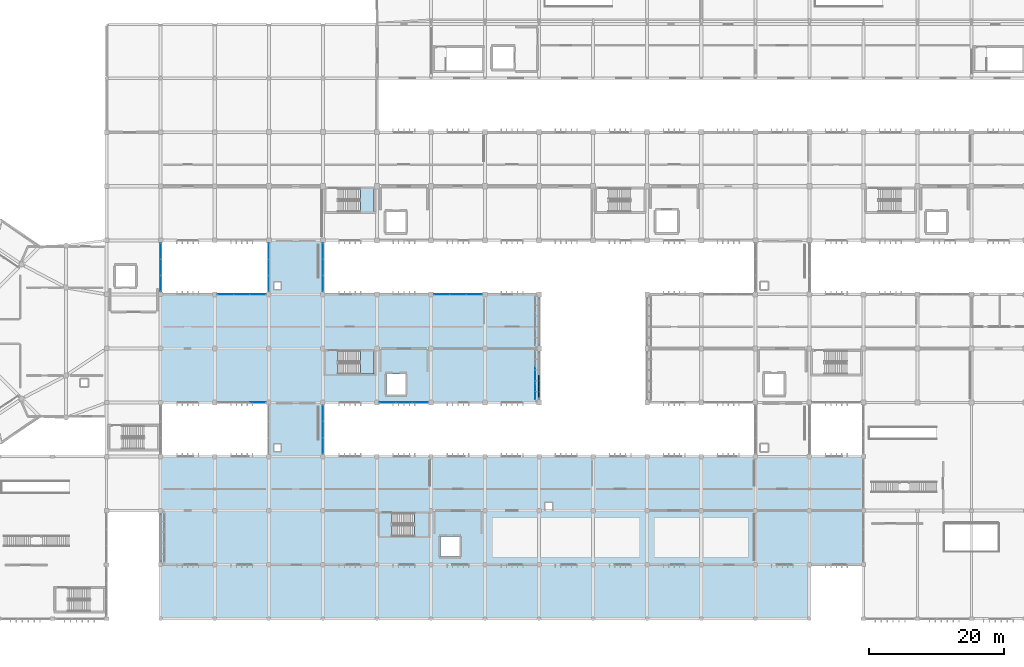
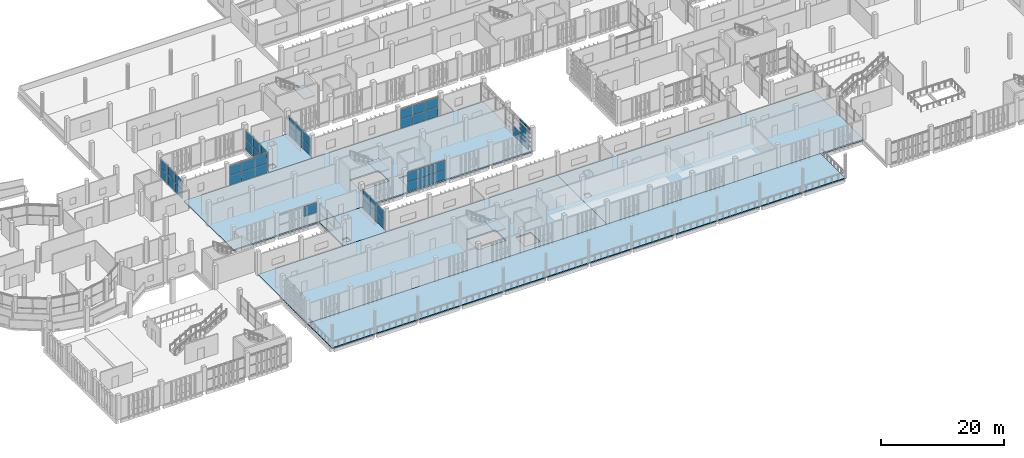
# One storey, part 71 of 106: 56 plates, 9 slabs, 12 elements without a shape of their own.
"""IFC4 building model written with IfcOpenShell, lengths in metres."""

from ifc_helpers import new_model, si_unit, direction, frame, origin, origin_2d, place, context, subcontext, project, spatial, polyline, rectangle, outline, extrude, material, layer, layer_set, type_object, element, aggregate, save


model = new_model("IFC4")

# Units and contexts
model_context = context("Model", 3, precision=1e-05, world=origin(), true_north=direction((0.0, 1.0)))
body_context = subcontext(model_context, "Body", "Model", "MODEL_VIEW")
ifc_project = project(units=[si_unit("LENGTHUNIT", "METRE"), si_unit("AREAUNIT", "SQUARE_METRE"), si_unit("VOLUMEUNIT", "CUBIC_METRE"), si_unit("PLANEANGLEUNIT", "RADIAN"), si_unit("MASSUNIT", "GRAM", prefix="KILO")], contexts=[model_context])

# Site, building, storey
site_placement = place(None, origin())
site = spatial("IfcSite", under=ifc_project, at=site_placement, CompositionType="ELEMENT")
building_placement = place(site_placement, origin())
building = spatial("IfcBuilding", under=site, at=building_placement, Name="Jelvoka-Kovrelna Polytechnic", CompositionType="ELEMENT")
storey_placement = place(building_placement, frame((0.0, 0.0, 4.800048828125)))
storey = spatial("IfcBuildingStorey", under=building, at=storey_placement, Name="L02", CompositionType="ELEMENT", Elevation=4.800048828125)

# Curtain wall, plate
ifc_material_1 = material(Name="Anodised aluminium 6063-T6", Category="aluminium")
ifc_layer_1 = layer(ifc_material_1, 0.159912109375)
ifc_layer_set_1 = layer_set([ifc_layer_1], Name="Anodised aluminium 6063-T6")
curtain_wall_type_1 = type_object("IfcCurtainWallType", Name="CW_Recessed_A", PredefinedType="NOTDEFINED", material=ifc_layer_set_1)
curtain_wall_1_placement = place(storey_placement, origin())
curtain_wall_1 = element("IfcCurtainWall", 1, at=curtain_wall_1_placement, inside=storey, type_object=curtain_wall_type_1, Name="L02 glazed curtain wall 015", PredefinedType="NOTDEFINED")
ifc_material_2 = material(Name="Solar-control double glazing", Category="glass")
ifc_layer_2 = layer(ifc_material_2, 0.028076171875)
ifc_layer_set_2 = layer_set([ifc_layer_2], Name="Solar-control double glazing")
plate_type_1 = type_object("IfcPlateType", Name="Panel_GP-01", PredefinedType="CURTAIN_PANEL", material=ifc_layer_set_2)
plate_1_placement = place(storey_placement, frame((70.385009765625, 32.0, 1.976806640625), z_axis=(0.0, 0.0, 1.0), x_axis=(-1.0, 0.0, 0.0)))
plate_1 = element("IfcPlate", 2, at=plate_1_placement, type_object=plate_type_1, Name="CW-01 panel 1.2", PredefinedType="CURTAIN_PANEL", context=body_context, shape_type="SweptSolid", body=[
    extrude(rectangle(XDim=2.326171875, YDim=0.028076171875, at=origin_2d()), origin(), (0.0, 0.0, 1.0), 1.881103515625),
])
aggregate(curtain_wall_1, [plate_1])

# Curtain wall, plates
curtain_wall_2_placement = place(storey_placement, origin())
curtain_wall_2 = element("IfcCurtainWall", 3, at=curtain_wall_2_placement, inside=storey, type_object=curtain_wall_type_1, Name="L02 glazed curtain wall 016", PredefinedType="NOTDEFINED")
plate_2_placement = place(storey_placement, frame((65.614990234375, 48.0, 0.052001953125), z_axis=(0.0, 0.0, 1.0), x_axis=(1.0, 0.0, 0.0)))
plate_2 = element("IfcPlate", 4, at=plate_2_placement, type_object=plate_type_1, Name="CW-01 panel 1.1", PredefinedType="CURTAIN_PANEL", context=body_context, shape_type="SweptSolid", body=[
    extrude(rectangle(XDim=2.326171875, YDim=0.028076171875, at=origin_2d()), origin(), (0.0, 0.0, 1.0), 1.881103515625),
])
plate_3_placement = place(storey_placement, frame((65.614990234375, 48.0, 1.976806640625), z_axis=(0.0, 0.0, 1.0), x_axis=(1.0, 0.0, 0.0)))
plate_3 = element("IfcPlate", 5, at=plate_3_placement, type_object=plate_type_1, Name="CW-01 panel 1.2", PredefinedType="CURTAIN_PANEL", context=body_context, shape_type="SweptSolid", body=[
    extrude(rectangle(XDim=2.326171875, YDim=0.028076171875, at=origin_2d()), origin(), (0.0, 0.0, 1.0), 1.881103515625),
])
plate_4_placement = place(storey_placement, frame((68.0, 48.0, 0.052001953125), z_axis=(0.0, 0.0, 1.0), x_axis=(1.0, 0.0, 0.0)))
plate_4 = element("IfcPlate", 6, at=plate_4_placement, type_object=plate_type_1, Name="CW-01 panel 2.1", PredefinedType="CURTAIN_PANEL", context=body_context, shape_type="SweptSolid", body=[
    extrude(rectangle(XDim=2.356201171875, YDim=0.028076171875, at=origin_2d()), origin(), (0.0, 0.0, 1.0), 1.881103515625),
])
plate_5_placement = place(storey_placement, frame((68.0, 48.0, 1.976806640625), z_axis=(0.0, 0.0, 1.0), x_axis=(1.0, 0.0, 0.0)))
plate_5 = element("IfcPlate", 7, at=plate_5_placement, type_object=plate_type_1, Name="CW-01 panel 2.2", PredefinedType="CURTAIN_PANEL", context=body_context, shape_type="SweptSolid", body=[
    extrude(rectangle(XDim=2.356201171875, YDim=0.028076171875, at=origin_2d()), origin(), (0.0, 0.0, 1.0), 1.881103515625),
])
plate_6_placement = place(storey_placement, frame((70.385009765625, 48.0, 0.052001953125), z_axis=(0.0, 0.0, 1.0), x_axis=(1.0, 0.0, 0.0)))
plate_6 = element("IfcPlate", 8, at=plate_6_placement, type_object=plate_type_1, Name="CW-01 panel 3.1", PredefinedType="CURTAIN_PANEL", context=body_context, shape_type="SweptSolid", body=[
    extrude(rectangle(XDim=2.326171875, YDim=0.028076171875, at=origin_2d()), origin(), (0.0, 0.0, 1.0), 1.881103515625),
])
plate_7_placement = place(storey_placement, frame((70.385009765625, 48.0, 1.976806640625), z_axis=(0.0, 0.0, 1.0), x_axis=(1.0, 0.0, 0.0)))
plate_7 = element("IfcPlate", 9, at=plate_7_placement, type_object=plate_type_1, Name="CW-01 panel 3.2", PredefinedType="CURTAIN_PANEL", context=body_context, shape_type="SweptSolid", body=[
    extrude(rectangle(XDim=2.326171875, YDim=0.028076171875, at=origin_2d()), origin(), (0.0, 0.0, 1.0), 1.881103515625),
])
aggregate(curtain_wall_2, [plate_2, plate_3, plate_4, plate_5, plate_6, plate_7])

curtain_wall_3_placement = place(storey_placement, origin())
curtain_wall_3 = element("IfcCurtainWall", 10, at=curtain_wall_3_placement, inside=storey, type_object=curtain_wall_type_1, Name="L02 glazed curtain wall 017", PredefinedType="NOTDEFINED")
plate_8_placement = place(storey_placement, frame((94.385009765625, 32.0, 0.052001953125), z_axis=(0.0, 0.0, 1.0), x_axis=(-1.0, 0.0, 0.0)))
plate_8 = element("IfcPlate", 11, at=plate_8_placement, type_object=plate_type_1, Name="CW-01 panel 1.1", PredefinedType="CURTAIN_PANEL", context=body_context, shape_type="SweptSolid", body=[
    extrude(rectangle(XDim=2.326171875, YDim=0.028076171875, at=origin_2d()), origin(), (0.0, 0.0, 1.0), 1.881103515625),
])
plate_9_placement = place(storey_placement, frame((94.385009765625, 32.0, 1.976806640625), z_axis=(0.0, 0.0, 1.0), x_axis=(-1.0, 0.0, 0.0)))
plate_9 = element("IfcPlate", 12, at=plate_9_placement, type_object=plate_type_1, Name="CW-01 panel 1.2", PredefinedType="CURTAIN_PANEL", context=body_context, shape_type="SweptSolid", body=[
    extrude(rectangle(XDim=2.326171875, YDim=0.028076171875, at=origin_2d()), origin(), (0.0, 0.0, 1.0), 1.881103515625),
])
plate_10_placement = place(storey_placement, frame((92.0, 32.0, 0.052001953125), z_axis=(0.0, 0.0, 1.0), x_axis=(-1.0, 0.0, 0.0)))
plate_10 = element("IfcPlate", 13, at=plate_10_placement, type_object=plate_type_1, Name="CW-01 panel 2.1", PredefinedType="CURTAIN_PANEL", context=body_context, shape_type="SweptSolid", body=[
    extrude(rectangle(XDim=2.356201171875, YDim=0.028076171875, at=origin_2d()), origin(), (0.0, 0.0, 1.0), 1.881103515625),
])
plate_11_placement = place(storey_placement, frame((92.0, 32.0, 1.976806640625), z_axis=(0.0, 0.0, 1.0), x_axis=(-1.0, 0.0, 0.0)))
plate_11 = element("IfcPlate", 14, at=plate_11_placement, type_object=plate_type_1, Name="CW-01 panel 2.2", PredefinedType="CURTAIN_PANEL", context=body_context, shape_type="SweptSolid", body=[
    extrude(rectangle(XDim=2.356201171875, YDim=0.028076171875, at=origin_2d()), origin(), (0.0, 0.0, 1.0), 1.881103515625),
])
plate_12_placement = place(storey_placement, frame((89.614990234375, 32.0, 0.052001953125), z_axis=(0.0, 0.0, 1.0), x_axis=(-1.0, 0.0, 0.0)))
plate_12 = element("IfcPlate", 15, at=plate_12_placement, type_object=plate_type_1, Name="CW-01 panel 3.1", PredefinedType="CURTAIN_PANEL", context=body_context, shape_type="SweptSolid", body=[
    extrude(rectangle(XDim=2.326171875, YDim=0.028076171875, at=origin_2d()), origin(), (0.0, 0.0, 1.0), 1.881103515625),
])
plate_13_placement = place(storey_placement, frame((89.614990234375, 32.0, 1.976806640625), z_axis=(0.0, 0.0, 1.0), x_axis=(-1.0, 0.0, 0.0)))
plate_13 = element("IfcPlate", 16, at=plate_13_placement, type_object=plate_type_1, Name="CW-01 panel 3.2", PredefinedType="CURTAIN_PANEL", context=body_context, shape_type="SweptSolid", body=[
    extrude(rectangle(XDim=2.326171875, YDim=0.028076171875, at=origin_2d()), origin(), (0.0, 0.0, 1.0), 1.881103515625),
])
aggregate(curtain_wall_3, [plate_8, plate_9, plate_10, plate_11, plate_12, plate_13])

curtain_wall_4_placement = place(storey_placement, origin())
curtain_wall_4 = element("IfcCurtainWall", 17, at=curtain_wall_4_placement, inside=storey, type_object=curtain_wall_type_1, Name="L02 glazed curtain wall 018", PredefinedType="NOTDEFINED")
plate_14_placement = place(storey_placement, frame((97.614990234375, 48.0, 0.052001953125), z_axis=(0.0, 0.0, 1.0), x_axis=(1.0, 0.0, 0.0)))
plate_14 = element("IfcPlate", 18, at=plate_14_placement, type_object=plate_type_1, Name="CW-01 panel 1.1", PredefinedType="CURTAIN_PANEL", context=body_context, shape_type="SweptSolid", body=[
    extrude(rectangle(XDim=2.326171875, YDim=0.028076171875, at=origin_2d()), origin(), (0.0, 0.0, 1.0), 1.881103515625),
])
plate_15_placement = place(storey_placement, frame((97.614990234375, 48.0, 1.976806640625), z_axis=(0.0, 0.0, 1.0), x_axis=(1.0, 0.0, 0.0)))
plate_15 = element("IfcPlate", 19, at=plate_15_placement, type_object=plate_type_1, Name="CW-01 panel 1.2", PredefinedType="CURTAIN_PANEL", context=body_context, shape_type="SweptSolid", body=[
    extrude(rectangle(XDim=2.326171875, YDim=0.028076171875, at=origin_2d()), origin(), (0.0, 0.0, 1.0), 1.881103515625),
])
plate_16_placement = place(storey_placement, frame((100.0, 48.0, 0.052001953125), z_axis=(0.0, 0.0, 1.0), x_axis=(1.0, 0.0, 0.0)))
plate_16 = element("IfcPlate", 20, at=plate_16_placement, type_object=plate_type_1, Name="CW-01 panel 2.1", PredefinedType="CURTAIN_PANEL", context=body_context, shape_type="SweptSolid", body=[
    extrude(rectangle(XDim=2.356201171875, YDim=0.028076171875, at=origin_2d()), origin(), (0.0, 0.0, 1.0), 1.881103515625),
])
plate_17_placement = place(storey_placement, frame((100.0, 48.0, 1.976806640625), z_axis=(0.0, 0.0, 1.0), x_axis=(1.0, 0.0, 0.0)))
plate_17 = element("IfcPlate", 21, at=plate_17_placement, type_object=plate_type_1, Name="CW-01 panel 2.2", PredefinedType="CURTAIN_PANEL", context=body_context, shape_type="SweptSolid", body=[
    extrude(rectangle(XDim=2.356201171875, YDim=0.028076171875, at=origin_2d()), origin(), (0.0, 0.0, 1.0), 1.881103515625),
])
plate_18_placement = place(storey_placement, frame((102.385009765625, 48.0, 0.052001953125), z_axis=(0.0, 0.0, 1.0), x_axis=(1.0, 0.0, 0.0)))
plate_18 = element("IfcPlate", 22, at=plate_18_placement, type_object=plate_type_1, Name="CW-01 panel 3.1", PredefinedType="CURTAIN_PANEL", context=body_context, shape_type="SweptSolid", body=[
    extrude(rectangle(XDim=2.326171875, YDim=0.028076171875, at=origin_2d()), origin(), (0.0, 0.0, 1.0), 1.881103515625),
])
plate_19_placement = place(storey_placement, frame((102.385009765625, 48.0, 1.976806640625), z_axis=(0.0, 0.0, 1.0), x_axis=(1.0, 0.0, 0.0)))
plate_19 = element("IfcPlate", 23, at=plate_19_placement, type_object=plate_type_1, Name="CW-01 panel 3.2", PredefinedType="CURTAIN_PANEL", context=body_context, shape_type="SweptSolid", body=[
    extrude(rectangle(XDim=2.326171875, YDim=0.028076171875, at=origin_2d()), origin(), (0.0, 0.0, 1.0), 1.881103515625),
])
aggregate(curtain_wall_4, [plate_14, plate_15, plate_16, plate_17, plate_18, plate_19])

curtain_wall_5_placement = place(storey_placement, origin())
curtain_wall_5 = element("IfcCurtainWall", 24, at=curtain_wall_5_placement, inside=storey, type_object=curtain_wall_type_1, Name="L02 glazed curtain wall 019", PredefinedType="NOTDEFINED")
plate_20_placement = place(storey_placement, frame((111.43994140625, 36.0, 0.052001953125), z_axis=(0.0, 0.0, 1.0), x_axis=(0.0, -1.0, 0.0)))
plate_20 = element("IfcPlate", 25, at=plate_20_placement, type_object=plate_type_1, Name="CW-01 panel 2.1", PredefinedType="CURTAIN_PANEL", context=body_context, shape_type="SweptSolid", body=[
    extrude(rectangle(XDim=2.356201171875, YDim=0.028076171875, at=origin_2d()), origin(), (0.0, 0.0, 1.0), 1.901123046875),
])
plate_21_placement = place(storey_placement, frame((111.43994140625, 33.614990234375, 0.052001953125), z_axis=(0.0, 0.0, 1.0), x_axis=(0.0, -1.0, 0.0)))
plate_21 = element("IfcPlate", 26, at=plate_21_placement, type_object=plate_type_1, Name="CW-01 panel 3.1", PredefinedType="CURTAIN_PANEL", context=body_context, shape_type="SweptSolid", body=[
    extrude(rectangle(XDim=2.326171875, YDim=0.028076171875, at=origin_2d()), origin(), (0.0, 0.0, 1.0), 1.901123046875),
])
plate_22_placement = place(storey_placement, frame((111.43994140625, 33.614990234375, 1.996826171875), z_axis=(0.0, 0.0, 1.0), x_axis=(0.0, -1.0, 0.0)))
plate_22 = element("IfcPlate", 27, at=plate_22_placement, type_object=plate_type_1, Name="CW-01 panel 3.2", PredefinedType="CURTAIN_PANEL", context=body_context, shape_type="SweptSolid", body=[
    extrude(rectangle(XDim=2.326171875, YDim=0.028076171875, at=origin_2d()), origin(), (0.0, 0.0, 1.0), 1.901123046875),
])
aggregate(curtain_wall_5, [plate_20, plate_21, plate_22])

ifc_material_3 = material(Name="Anodised aluminium 6063-T6", Category="aluminium")
ifc_layer_3 = layer(ifc_material_3, 0.159912109375)
ifc_layer_set_3 = layer_set([ifc_layer_3], Name="Anodised aluminium 6063-T6")
curtain_wall_type_2 = type_object("IfcCurtainWallType", Name="CW_LinkBridge", PredefinedType="NOTDEFINED", material=ifc_layer_set_3)
curtain_wall_6_placement = place(storey_placement, origin())
curtain_wall_6 = element("IfcCurtainWall", 28, at=curtain_wall_6_placement, inside=storey, type_object=curtain_wall_type_2, Name="L02 glazed curtain wall 112", PredefinedType="NOTDEFINED")
ifc_material_4 = material(Name="Solar-control double glazing", Category="glass")
ifc_layer_4 = layer(ifc_material_4, 0.02392578125)
ifc_layer_set_4 = layer_set([ifc_layer_4], Name="Solar-control double glazing")
plate_type_2 = type_object("IfcPlateType", Name="Panel_GP-04", PredefinedType="CURTAIN_PANEL", material=ifc_layer_set_4)
plate_23_placement = place(storey_placement, frame((72.0, 49.614990234375, 0.0517578125), z_axis=(0.0, 0.0, 1.0), x_axis=(0.0, 1.0, 0.0)))
plate_23 = element("IfcPlate", 29, at=plate_23_placement, type_object=plate_type_2, Name="CW-04 panel 1.1", PredefinedType="CURTAIN_PANEL", context=body_context, shape_type="SweptSolid", body=[
    extrude(rectangle(XDim=2.326171875, YDim=0.02392578125, at=origin_2d()), origin(), (0.0, 0.0, 1.0), 1.80615234375),
])
plate_24_placement = place(storey_placement, frame((72.0, 49.614990234375, 1.90185546875), z_axis=(0.0, 0.0, 1.0), x_axis=(0.0, 1.0, 0.0)))
plate_24 = element("IfcPlate", 30, at=plate_24_placement, type_object=plate_type_2, Name="CW-04 panel 1.2", PredefinedType="CURTAIN_PANEL", context=body_context, shape_type="SweptSolid", body=[
    extrude(rectangle(XDim=2.326171875, YDim=0.02392578125, at=origin_2d()), origin(), (0.0, 0.0, 1.0), 1.80615234375),
])
plate_25_placement = place(storey_placement, frame((72.0, 52.0, 0.0517578125), z_axis=(0.0, 0.0, 1.0), x_axis=(0.0, 1.0, 0.0)))
plate_25 = element("IfcPlate", 31, at=plate_25_placement, type_object=plate_type_2, Name="CW-04 panel 2.1", PredefinedType="CURTAIN_PANEL", context=body_context, shape_type="SweptSolid", body=[
    extrude(rectangle(XDim=2.356201171875, YDim=0.02392578125, at=origin_2d()), origin(), (0.0, 0.0, 1.0), 1.80615234375),
])
plate_26_placement = place(storey_placement, frame((72.0, 52.0, 1.90185546875), z_axis=(0.0, 0.0, 1.0), x_axis=(0.0, 1.0, 0.0)))
plate_26 = element("IfcPlate", 32, at=plate_26_placement, type_object=plate_type_2, Name="CW-04 panel 2.2", PredefinedType="CURTAIN_PANEL", context=body_context, shape_type="SweptSolid", body=[
    extrude(rectangle(XDim=2.356201171875, YDim=0.02392578125, at=origin_2d()), origin(), (0.0, 0.0, 1.0), 1.80615234375),
])
plate_27_placement = place(storey_placement, frame((72.0, 54.385009765625, 0.0517578125), z_axis=(0.0, 0.0, 1.0), x_axis=(0.0, 1.0, 0.0)))
plate_27 = element("IfcPlate", 33, at=plate_27_placement, type_object=plate_type_2, Name="CW-04 panel 3.1", PredefinedType="CURTAIN_PANEL", context=body_context, shape_type="SweptSolid", body=[
    extrude(rectangle(XDim=2.326171875, YDim=0.02392578125, at=origin_2d()), origin(), (0.0, 0.0, 1.0), 1.80615234375),
])
plate_28_placement = place(storey_placement, frame((72.0, 54.385009765625, 1.90185546875), z_axis=(0.0, 0.0, 1.0), x_axis=(0.0, 1.0, 0.0)))
plate_28 = element("IfcPlate", 34, at=plate_28_placement, type_object=plate_type_2, Name="CW-04 panel 3.2", PredefinedType="CURTAIN_PANEL", context=body_context, shape_type="SweptSolid", body=[
    extrude(rectangle(XDim=2.326171875, YDim=0.02392578125, at=origin_2d()), origin(), (0.0, 0.0, 1.0), 1.80615234375),
])
aggregate(curtain_wall_6, [plate_23, plate_24, plate_25, plate_26, plate_27, plate_28])

curtain_wall_7_placement = place(storey_placement, origin())
curtain_wall_7 = element("IfcCurtainWall", 35, at=curtain_wall_7_placement, inside=storey, type_object=curtain_wall_type_2, Name="L02 glazed curtain wall 113", PredefinedType="NOTDEFINED")
plate_29_placement = place(storey_placement, frame((80.0, 54.385009765625, 0.0517578125), z_axis=(0.0, 0.0, 1.0), x_axis=(0.0, -1.0, 0.0)))
plate_29 = element("IfcPlate", 36, at=plate_29_placement, type_object=plate_type_2, Name="CW-04 panel 1.1", PredefinedType="CURTAIN_PANEL", context=body_context, shape_type="SweptSolid", body=[
    extrude(rectangle(XDim=2.326171875, YDim=0.02392578125, at=origin_2d()), origin(), (0.0, 0.0, 1.0), 1.80615234375),
])
plate_30_placement = place(storey_placement, frame((80.0, 54.385009765625, 1.90185546875), z_axis=(0.0, 0.0, 1.0), x_axis=(0.0, -1.0, 0.0)))
plate_30 = element("IfcPlate", 37, at=plate_30_placement, type_object=plate_type_2, Name="CW-04 panel 1.2", PredefinedType="CURTAIN_PANEL", context=body_context, shape_type="SweptSolid", body=[
    extrude(rectangle(XDim=2.326171875, YDim=0.02392578125, at=origin_2d()), origin(), (0.0, 0.0, 1.0), 1.80615234375),
])
plate_31_placement = place(storey_placement, frame((80.0, 52.0, 0.0517578125), z_axis=(0.0, 0.0, 1.0), x_axis=(0.0, -1.0, 0.0)))
plate_31 = element("IfcPlate", 38, at=plate_31_placement, type_object=plate_type_2, Name="CW-04 panel 2.1", PredefinedType="CURTAIN_PANEL", context=body_context, shape_type="SweptSolid", body=[
    extrude(rectangle(XDim=2.356201171875, YDim=0.02392578125, at=origin_2d()), origin(), (0.0, 0.0, 1.0), 1.80615234375),
])
plate_32_placement = place(storey_placement, frame((80.0, 52.0, 1.90185546875), z_axis=(0.0, 0.0, 1.0), x_axis=(0.0, -1.0, 0.0)))
plate_32 = element("IfcPlate", 39, at=plate_32_placement, type_object=plate_type_2, Name="CW-04 panel 2.2", PredefinedType="CURTAIN_PANEL", context=body_context, shape_type="SweptSolid", body=[
    extrude(rectangle(XDim=2.356201171875, YDim=0.02392578125, at=origin_2d()), origin(), (0.0, 0.0, 1.0), 1.80615234375),
])
plate_33_placement = place(storey_placement, frame((80.0, 49.614990234375, 0.0517578125), z_axis=(0.0, 0.0, 1.0), x_axis=(0.0, -1.0, 0.0)))
plate_33 = element("IfcPlate", 40, at=plate_33_placement, type_object=plate_type_2, Name="CW-04 panel 3.1", PredefinedType="CURTAIN_PANEL", context=body_context, shape_type="SweptSolid", body=[
    extrude(rectangle(XDim=2.326171875, YDim=0.02392578125, at=origin_2d()), origin(), (0.0, 0.0, 1.0), 1.80615234375),
])
plate_34_placement = place(storey_placement, frame((80.0, 49.614990234375, 1.90185546875), z_axis=(0.0, 0.0, 1.0), x_axis=(0.0, -1.0, 0.0)))
plate_34 = element("IfcPlate", 41, at=plate_34_placement, type_object=plate_type_2, Name="CW-04 panel 3.2", PredefinedType="CURTAIN_PANEL", context=body_context, shape_type="SweptSolid", body=[
    extrude(rectangle(XDim=2.326171875, YDim=0.02392578125, at=origin_2d()), origin(), (0.0, 0.0, 1.0), 1.80615234375),
])
aggregate(curtain_wall_7, [plate_29, plate_30, plate_31, plate_32, plate_33, plate_34])

curtain_wall_8_placement = place(storey_placement, origin())
curtain_wall_8 = element("IfcCurtainWall", 42, at=curtain_wall_8_placement, inside=storey, type_object=curtain_wall_type_2, Name="L02 glazed curtain wall 115", PredefinedType="NOTDEFINED")
plate_35_placement = place(storey_placement, frame((80.0, 30.385009765625, 0.0517578125), z_axis=(0.0, 0.0, 1.0), x_axis=(0.0, -1.0, 0.0)))
plate_35 = element("IfcPlate", 43, at=plate_35_placement, type_object=plate_type_2, Name="CW-04 panel 1.1", PredefinedType="CURTAIN_PANEL", context=body_context, shape_type="SweptSolid", body=[
    extrude(rectangle(XDim=2.326171875, YDim=0.02392578125, at=origin_2d()), origin(), (0.0, 0.0, 1.0), 1.80615234375),
])
plate_36_placement = place(storey_placement, frame((80.0, 30.385009765625, 1.90185546875), z_axis=(0.0, 0.0, 1.0), x_axis=(0.0, -1.0, 0.0)))
plate_36 = element("IfcPlate", 44, at=plate_36_placement, type_object=plate_type_2, Name="CW-04 panel 1.2", PredefinedType="CURTAIN_PANEL", context=body_context, shape_type="SweptSolid", body=[
    extrude(rectangle(XDim=2.326171875, YDim=0.02392578125, at=origin_2d()), origin(), (0.0, 0.0, 1.0), 1.80615234375),
])
plate_37_placement = place(storey_placement, frame((80.0, 28.0, 0.0517578125), z_axis=(0.0, 0.0, 1.0), x_axis=(0.0, -1.0, 0.0)))
plate_37 = element("IfcPlate", 45, at=plate_37_placement, type_object=plate_type_2, Name="CW-04 panel 2.1", PredefinedType="CURTAIN_PANEL", context=body_context, shape_type="SweptSolid", body=[
    extrude(rectangle(XDim=2.356201171875, YDim=0.02392578125, at=origin_2d()), origin(), (0.0, 0.0, 1.0), 1.80615234375),
])
plate_38_placement = place(storey_placement, frame((80.0, 28.0, 1.90185546875), z_axis=(0.0, 0.0, 1.0), x_axis=(0.0, -1.0, 0.0)))
plate_38 = element("IfcPlate", 46, at=plate_38_placement, type_object=plate_type_2, Name="CW-04 panel 2.2", PredefinedType="CURTAIN_PANEL", context=body_context, shape_type="SweptSolid", body=[
    extrude(rectangle(XDim=2.356201171875, YDim=0.02392578125, at=origin_2d()), origin(), (0.0, 0.0, 1.0), 1.80615234375),
])
plate_39_placement = place(storey_placement, frame((80.0, 25.614990234375, 0.0517578125), z_axis=(0.0, 0.0, 1.0), x_axis=(0.0, -1.0, 0.0)))
plate_39 = element("IfcPlate", 47, at=plate_39_placement, type_object=plate_type_2, Name="CW-04 panel 3.1", PredefinedType="CURTAIN_PANEL", context=body_context, shape_type="SweptSolid", body=[
    extrude(rectangle(XDim=2.326171875, YDim=0.02392578125, at=origin_2d()), origin(), (0.0, 0.0, 1.0), 1.80615234375),
])
plate_40_placement = place(storey_placement, frame((80.0, 25.614990234375, 1.90185546875), z_axis=(0.0, 0.0, 1.0), x_axis=(0.0, -1.0, 0.0)))
plate_40 = element("IfcPlate", 48, at=plate_40_placement, type_object=plate_type_2, Name="CW-04 panel 3.2", PredefinedType="CURTAIN_PANEL", context=body_context, shape_type="SweptSolid", body=[
    extrude(rectangle(XDim=2.326171875, YDim=0.02392578125, at=origin_2d()), origin(), (0.0, 0.0, 1.0), 1.80615234375),
])
aggregate(curtain_wall_8, [plate_35, plate_36, plate_37, plate_38, plate_39, plate_40])

ifc_material_5 = material(Name="Anodised aluminium 6063-T6", Category="aluminium")
ifc_layer_5 = layer(ifc_material_5, 0.179931640625)
ifc_layer_set_5 = layer_set([ifc_layer_5], Name="Anodised aluminium 6063-T6")
curtain_wall_type_3 = type_object("IfcCurtainWallType", Name="CW_Pavilion", PredefinedType="NOTDEFINED", material=ifc_layer_set_5)
curtain_wall_9_placement = place(storey_placement, origin())
curtain_wall_9 = element("IfcCurtainWall", 49, at=curtain_wall_9_placement, inside=storey, type_object=curtain_wall_type_3, Name="L02 glazed curtain wall 119", PredefinedType="NOTDEFINED")
ifc_material_6 = material(Name="Solar-control double glazing", Category="glass")
ifc_layer_6 = layer(ifc_material_6, 0.030029296875)
ifc_layer_set_6 = layer_set([ifc_layer_6], Name="Solar-control double glazing")
plate_type_3 = type_object("IfcPlateType", Name="Panel_GP-05", PredefinedType="CURTAIN_PANEL", material=ifc_layer_set_6)
plate_41_placement = place(storey_placement, frame((56.0, 54.3837890625, 0.056884765625), z_axis=(0.0, 0.0, 1.0), x_axis=(0.0, -1.0, 0.0)))
plate_41 = element("IfcPlate", 50, at=plate_41_placement, type_object=plate_type_3, Name="CW-05 panel 1.1", PredefinedType="CURTAIN_PANEL", context=body_context, shape_type="SweptSolid", body=[
    extrude(rectangle(XDim=2.318603515625, YDim=0.030029296875, at=origin_2d()), origin(), (0.0, 0.0, 1.0), 1.798583984375),
])
plate_42_placement = place(storey_placement, frame((56.0, 54.3837890625, 1.904541015625), z_axis=(0.0, 0.0, 1.0), x_axis=(0.0, -1.0, 0.0)))
plate_42 = element("IfcPlate", 51, at=plate_42_placement, type_object=plate_type_3, Name="CW-05 panel 1.2", PredefinedType="CURTAIN_PANEL", context=body_context, shape_type="SweptSolid", body=[
    extrude(rectangle(XDim=2.318603515625, YDim=0.030029296875, at=origin_2d()), origin(), (0.0, 0.0, 1.0), 1.798583984375),
])
plate_43_placement = place(storey_placement, frame((56.0, 52.0, 0.056884765625), z_axis=(0.0, 0.0, 1.0), x_axis=(0.0, -1.0, 0.0)))
plate_43 = element("IfcPlate", 52, at=plate_43_placement, type_object=plate_type_3, Name="CW-05 panel 2.1", PredefinedType="CURTAIN_PANEL", context=body_context, shape_type="SweptSolid", body=[
    extrude(rectangle(XDim=2.35107421875, YDim=0.030029296875, at=origin_2d()), origin(), (0.0, 0.0, 1.0), 1.798583984375),
])
plate_44_placement = place(storey_placement, frame((56.0, 52.0, 1.904541015625), z_axis=(0.0, 0.0, 1.0), x_axis=(0.0, -1.0, 0.0)))
plate_44 = element("IfcPlate", 53, at=plate_44_placement, type_object=plate_type_3, Name="CW-05 panel 2.2", PredefinedType="CURTAIN_PANEL", context=body_context, shape_type="SweptSolid", body=[
    extrude(rectangle(XDim=2.35107421875, YDim=0.030029296875, at=origin_2d()), origin(), (0.0, 0.0, 1.0), 1.798583984375),
])
plate_45_placement = place(storey_placement, frame((56.0, 49.6162109375, 0.056884765625), z_axis=(0.0, 0.0, 1.0), x_axis=(0.0, -1.0, 0.0)))
plate_45 = element("IfcPlate", 54, at=plate_45_placement, type_object=plate_type_3, Name="CW-05 panel 3.1", PredefinedType="CURTAIN_PANEL", context=body_context, shape_type="SweptSolid", body=[
    extrude(rectangle(XDim=2.318603515625, YDim=0.030029296875, at=origin_2d()), origin(), (0.0, 0.0, 1.0), 1.798583984375),
])
plate_46_placement = place(storey_placement, frame((56.0, 49.6162109375, 1.904541015625), z_axis=(0.0, 0.0, 1.0), x_axis=(0.0, -1.0, 0.0)))
plate_46 = element("IfcPlate", 55, at=plate_46_placement, type_object=plate_type_3, Name="CW-05 panel 3.2", PredefinedType="CURTAIN_PANEL", context=body_context, shape_type="SweptSolid", body=[
    extrude(rectangle(XDim=2.318603515625, YDim=0.030029296875, at=origin_2d()), origin(), (0.0, 0.0, 1.0), 1.798583984375),
])
aggregate(curtain_wall_9, [plate_41, plate_42, plate_43, plate_44, plate_45, plate_46])

# Plates
ifc_material_7 = material(Name="Perforated fired terracotta block", Category="masonry")
ifc_layer_7 = layer(ifc_material_7, 0.159912109375)
ifc_layer_set_7 = layer_set([ifc_layer_7], Name="Perforated fired terracotta block")
plate_type_4 = type_object("IfcPlateType", Name="Screen_Terracotta_TP01", PredefinedType="USERDEFINED", material=ifc_layer_set_7)
for number, where, z_axis, x_axis, name in (
    (56, (111.97998046875, 33.60009765625, 0.2001953125), (0.0, 0.0, 1.0), (0.0, 1.0, 0.0), "L02 perforated terracotta lattice band 0201"),
    (57, (111.97998046875, 33.60009765625, 1.04248046875), (0.0, 0.0, 1.0), (0.0, 1.0, 0.0), "L02 perforated terracotta lattice band 0202"),
    (58, (111.97998046875, 33.60009765625, 1.884765625), (0.0, 0.0, 1.0), (0.0, 1.0, 0.0), "L02 perforated terracotta lattice band 0203"),
    (59, (111.97998046875, 33.60009765625, 2.7275390625), (0.0, 0.0, 1.0), (0.0, 1.0, 0.0), "L02 perforated terracotta lattice band 0204"),
    (60, (111.97998046875, 33.60009765625, 3.56982421875), (0.0, 0.0, 1.0), (0.0, 1.0, 0.0), "L02 perforated terracotta lattice band 0205"),
    (61, (111.97998046875, 35.199951171875, 0.2001953125), (0.0, 0.0, 1.0), (0.0, 1.0, 0.0), "L02 perforated terracotta lattice band 0206"),
    (62, (111.97998046875, 35.199951171875, 1.04248046875), (0.0, 0.0, 1.0), (0.0, 1.0, 0.0), "L02 perforated terracotta lattice band 0207"),
    (63, (111.97998046875, 35.199951171875, 1.884765625), (0.0, 0.0, 1.0), (0.0, 1.0, 0.0), "L02 perforated terracotta lattice band 0208"),
    (64, (111.97998046875, 35.199951171875, 2.7275390625), (0.0, 0.0, 1.0), (0.0, 1.0, 0.0), "L02 perforated terracotta lattice band 0209"),
    (65, (111.97998046875, 35.199951171875, 3.56982421875), (0.0, 0.0, 1.0), (0.0, 1.0, 0.0), "L02 perforated terracotta lattice band 0210"),
):
    element("IfcPlate", number, at=place(storey_placement, frame(where, z_axis=z_axis, x_axis=x_axis)), inside=storey, type_object=plate_type_4, Name=name, ObjectType="SCREEN PANEL", PredefinedType="USERDEFINED", context=body_context, shape_type="SweptSolid", body=[
        extrude(rectangle(XDim=1.60009765625, YDim=0.159912109375, at=origin_2d()), origin(), (0.0, 0.0, 1.0), 0.239990234375),
    ])

# Slabs
ifc_material_8 = material(Name="Concrete C35/45", Category="concrete")
ifc_layer_8 = layer(ifc_material_8, 0.264892578125)
ifc_layer_set_8 = layer_set([ifc_layer_8], Name="Concrete C35/45")
slab_type_1 = type_object("IfcSlabType", Name="Slab_Floor_265", PredefinedType="FLOOR", material=ifc_layer_set_8)
slab_1_placement = place(storey_placement, frame((0.0, 0.0, -0.26513671875)))
element("IfcSlab", 66, at=slab_1_placement, inside=storey, type_object=slab_type_1, Name="L02 B1W structural slab", PredefinedType="FLOOR", context=body_context, shape_type="SweptSolid", body=[
    extrude(outline(polyline([(56.0, 8.0), (112.0, 8.0), (112.0, 24.0), (56.0, 24.0), (56.0, 8.0)]), holes=[polyline([(97.39990234375, 9.199951171875), (100.199951171875, 9.199951171875), (100.199951171875, 12.199951171875), (97.39990234375, 12.199951171875), (97.39990234375, 9.199951171875)]), polyline([(90.264892578125, 12.199951171875), (95.60009765625, 12.199951171875), (95.60009765625, 15.639892578125), (90.264892578125, 15.639892578125), (90.264892578125, 12.199951171875)])]), origin(), (0.0, 0.0, 1.0), 0.26513671875),
])
slab_2_placement = place(storey_placement, frame((0.0, 0.0, -0.26513671875)))
element("IfcSlab", 67, at=slab_2_placement, inside=storey, type_object=slab_type_1, Name="L02 B1E structural slab", PredefinedType="FLOOR", context=body_context, shape_type="SweptSolid", body=[
    extrude(outline(polyline([(112.0, 8.0), (160.0, 8.0), (160.0, 24.0), (112.0, 24.0), (112.0, 8.0)]), holes=[polyline([(112.949951171875, 16.14990234375), (113.949951171875, 16.14990234375), (113.949951171875, 17.14990234375), (112.949951171875, 17.14990234375), (112.949951171875, 16.14990234375)])]), origin(), (0.0, 0.0, 1.0), 0.26513671875),
])
slab_3_placement = place(storey_placement, frame((0.0, 0.0, -0.26513671875)))
element("IfcSlab", 68, at=slab_3_placement, inside=storey, type_object=slab_type_1, Name="L02 B2W structural slab", PredefinedType="FLOOR", context=body_context, shape_type="SweptSolid", body=[
    extrude(outline(polyline([(56.0, 32.0), (112.0, 32.0), (112.0, 48.0), (56.0, 48.0), (56.0, 32.0)]), holes=[polyline([(89.39990234375, 33.199951171875), (92.199951171875, 33.199951171875), (92.199951171875, 36.199951171875), (89.39990234375, 36.199951171875), (89.39990234375, 33.199951171875)]), polyline([(82.264892578125, 36.199951171875), (87.60009765625, 36.199951171875), (87.60009765625, 39.639892578125), (82.264892578125, 39.639892578125), (82.264892578125, 36.199951171875)])]), origin(), (0.0, 0.0, 1.0), 0.26513671875),
])
slab_4_placement = place(storey_placement, frame((0.0, 0.0, -0.26513671875)))
element("IfcSlab", 69, at=slab_4_placement, inside=storey, type_object=slab_type_1, Name="L02 LNKSW structural slab", PredefinedType="FLOOR", context=body_context, shape_type="SweptSolid", body=[
    extrude(outline(polyline([(72.0, 24.0), (80.0, 24.0), (80.0, 32.0), (72.0, 32.0), (72.0, 24.0)]), holes=[polyline([(72.800048828125, 24.800048828125), (73.800048828125, 24.800048828125), (73.800048828125, 25.800048828125), (72.800048828125, 25.800048828125), (72.800048828125, 24.800048828125)])]), origin(), (0.0, 0.0, 1.0), 0.26513671875),
])
slab_5_placement = place(storey_placement, frame((0.0, 0.0, -0.26513671875)))
element("IfcSlab", 70, at=slab_5_placement, inside=storey, type_object=slab_type_1, Name="L02 LNKNW structural slab", PredefinedType="FLOOR", context=body_context, shape_type="SweptSolid", body=[
    extrude(outline(polyline([(72.0, 48.0), (80.0, 48.0), (80.0, 56.0), (72.0, 56.0), (72.0, 48.0)]), holes=[polyline([(72.800048828125, 48.800048828125), (73.800048828125, 48.800048828125), (73.800048828125, 49.800048828125), (72.800048828125, 49.800048828125), (72.800048828125, 48.800048828125)])]), origin(), (0.0, 0.0, 1.0), 0.26513671875),
])

# Stair, slab
ifc_material_9 = material(Name="Concrete C35/45", Category="concrete")
stair_type = type_object("IfcStairType", Name="Stair_Dogleg_1620", PredefinedType="TWO_STRAIGHT_RUN_STAIR", material=ifc_material_9)
stair_1_placement = place(storey_placement, origin())
stair_1 = element("IfcStair", 71, at=stair_1_placement, inside=storey, type_object=stair_type, Name="L02 ST06", PredefinedType="TWO_STRAIGHT_RUN_STAIR")
ifc_material_10 = material(Name="Concrete C35/45", Category="concrete")
ifc_layer_9 = layer(ifc_material_10, 0.199951171875)
ifc_layer_set_9 = layer_set([ifc_layer_9], Name="Concrete C35/45")
slab_type_2 = type_object("IfcSlabType", Name="Slab_Stair_Landing_200", PredefinedType="LANDING", material=ifc_layer_set_9)
slab_6_placement = place(storey_placement, frame((0.0, 0.0, 2.199951171875)))
slab_6 = element("IfcSlab", 72, at=slab_6_placement, type_object=slab_type_2, Name="ST06 landing 1", PredefinedType="LANDING", context=body_context, shape_type="SweptSolid", body=[
    extrude(outline(polyline([(93.550048828125, 12.199951171875), (95.60009765625, 12.199951171875), (95.60009765625, 15.639892578125), (93.550048828125, 15.639892578125), (93.550048828125, 12.199951171875)])), origin(), (0.0, 0.0, 1.0), 0.199951171875),
])
aggregate(stair_1, [slab_6])

stair_2_placement = place(storey_placement, origin())
stair_2 = element("IfcStair", 73, at=stair_2_placement, inside=storey, type_object=stair_type, Name="L02 ST07", PredefinedType="TWO_STRAIGHT_RUN_STAIR")
slab_7_placement = place(storey_placement, frame((0.0, 0.0, 2.199951171875)))
slab_7 = element("IfcSlab", 74, at=slab_7_placement, type_object=slab_type_2, Name="ST07 landing 1", PredefinedType="LANDING", context=body_context, shape_type="SweptSolid", body=[
    extrude(outline(polyline([(85.550048828125, 36.199951171875), (87.60009765625, 36.199951171875), (87.60009765625, 39.639892578125), (85.550048828125, 39.639892578125), (85.550048828125, 36.199951171875)])), origin(), (0.0, 0.0, 1.0), 0.199951171875),
])
aggregate(stair_2, [slab_7])

stair_3_placement = place(storey_placement, origin())
stair_3 = element("IfcStair", 75, at=stair_3_placement, inside=storey, type_object=stair_type, Name="L02 ST09", PredefinedType="TWO_STRAIGHT_RUN_STAIR")
slab_8_placement = place(storey_placement, frame((0.0, 0.0, 2.199951171875)))
slab_8 = element("IfcSlab", 76, at=slab_8_placement, type_object=slab_type_2, Name="ST09 landing 1", PredefinedType="LANDING", context=body_context, shape_type="SweptSolid", body=[
    extrude(outline(polyline([(85.550048828125, 60.199951171875), (87.60009765625, 60.199951171875), (87.60009765625, 63.639892578125), (85.550048828125, 63.639892578125), (85.550048828125, 60.199951171875)])), origin(), (0.0, 0.0, 1.0), 0.199951171875),
])
aggregate(stair_3, [slab_8])

# Slab
ifc_material_11 = material(Name="Concrete C35/45", Category="concrete")
ifc_layer_10 = layer(ifc_material_11, 0.219970703125)
ifc_layer_set_10 = layer_set([ifc_layer_10], Name="Concrete C35/45")
slab_type_3 = type_object("IfcSlabType", Name="Slab_Terrace_220", PredefinedType="FLOOR", material=ifc_layer_set_10)
slab_9_placement = place(storey_placement, frame((0.0, 0.0, -0.219970703125)))
element("IfcSlab", 77, at=slab_9_placement, inside=storey, type_object=slab_type_3, Name="L02 south colonnade gallery terrace", PredefinedType="FLOOR", context=body_context, shape_type="SweptSolid", body=[
    extrude(outline(polyline([(56.0, 0.0), (152.0, 0.0), (152.0, 8.0), (56.0, 8.0), (56.0, 0.0)])), origin(), (0.0, 0.0, 1.0), 0.219970703125),
])

save(model, "model.ifc")
